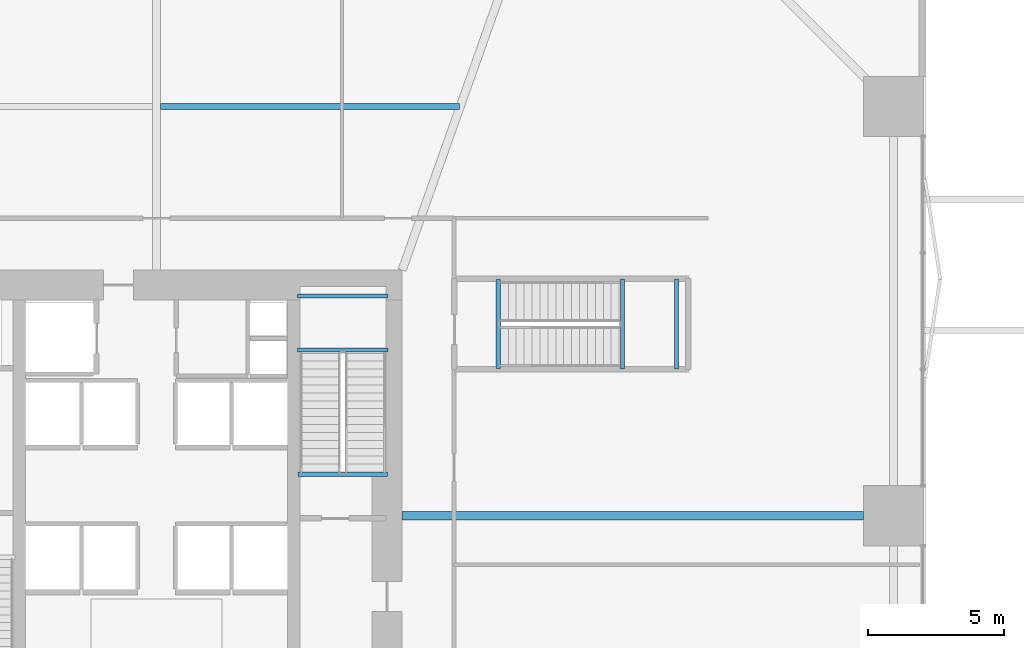
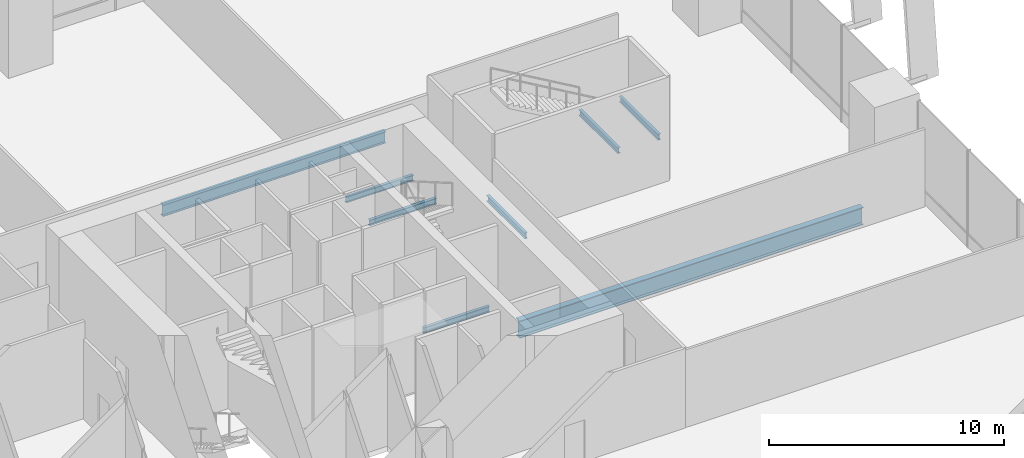
# One storey, part 14 of 24: 8 beams.
"""IFC4 building model written with IfcOpenShell, lengths in metres."""

from ifc_helpers import new_model, si_unit, direction, frame, origin, origin_2d, place, context, subcontext, project, spatial, i_section, extrude, material, material_profile, profile_set, type_object, element, save


model = new_model("IFC4")

# Units and contexts
model_context = context("Model", 3, precision=1e-05, world=origin(), true_north=direction((0.0, 1.0)))
body_context = subcontext(model_context, "Body", "Model", "MODEL_VIEW")
ifc_project = project(units=[si_unit("LENGTHUNIT", "METRE"), si_unit("AREAUNIT", "SQUARE_METRE"), si_unit("VOLUMEUNIT", "CUBIC_METRE"), si_unit("PLANEANGLEUNIT", "RADIAN"), si_unit("MASSUNIT", "GRAM", prefix="KILO")], contexts=[model_context])

# Site, building, storey
site_placement = place(None, origin())
site = spatial("IfcSite", under=ifc_project, at=site_placement, CompositionType="ELEMENT")
building_placement = place(site_placement, origin())
building = spatial("IfcBuilding", under=site, at=building_placement, Name="Belovzor Exchange Tower", CompositionType="ELEMENT")
storey_placement = place(building_placement, frame((0.0, 0.0, 8.39990234375)))
storey = spatial("IfcBuildingStorey", under=building, at=storey_placement, Name="L02", CompositionType="ELEMENT", Elevation=8.39990234375)

# Beams
ifc_material_1 = material(Name="Steel S460", Category="steel")
ifc_material_profile_1 = material_profile(ifc_material_1, i_section(OverallWidth=0.300048828125, OverallDepth=0.89990234375, WebThickness=0.0185546875, FlangeThickness=0.034912109375, at=origin_2d()))
ifc_profile_set_1 = profile_set([ifc_material_profile_1], Name="Steel S460")
beam_type_1 = type_object("IfcBeamType", Name="Podium Radial Clear-Span Girder HEB 900", PredefinedType="BEAM", material=ifc_profile_set_1)
beam_1_placement = place(storey_placement, frame((37.800048828125, 28.800048828125, -0.7998046875), z_axis=(1.0, 0.0, 0.0), x_axis=(0.0, 1.0, 0.0)))
element("IfcBeam", 1, at=beam_1_placement, inside=storey, type_object=beam_type_1, Name="PG-2 Podium Radial Clear-Span Girder HEB 900", PredefinedType="BEAM", context=body_context, shape_type="SweptSolid", body=[
    extrude(i_section(OverallWidth=0.300048828125, OverallDepth=0.89990234375, WebThickness=0.0185546875, FlangeThickness=0.034912109375, at=origin_2d()), origin(), (0.0, 0.0, 1.0), 16.89990234375),
])
ifc_material_2 = material(Name="Steel S355", Category="steel")
ifc_material_profile_2 = material_profile(ifc_material_2, i_section(OverallWidth=0.219970703125, OverallDepth=0.60009765625, WebThickness=0.011962890625, FlangeThickness=0.01904296875, at=origin_2d()))
ifc_profile_set_2 = profile_set([ifc_material_profile_2], Name="Steel S355")
beam_type_2 = type_object("IfcBeamType", Name="Podium Secondary Composite Floor Beam IPE 600", PredefinedType="BEAM", material=ifc_profile_set_2)
beam_2_placement = place(storey_placement, frame((28.949951171875, 43.800048828125, -0.64990234375), z_axis=(1.0, 0.0, 0.0), x_axis=(0.0, 1.0, 0.0)))
element("IfcBeam", 2, at=beam_2_placement, inside=storey, type_object=beam_type_2, Name="FB-600 Podium Secondary Composite Floor Beam IPE 600", PredefinedType="BEAM", context=body_context, shape_type="SweptSolid", body=[
    extrude(i_section(OverallWidth=0.219970703125, OverallDepth=0.60009765625, WebThickness=0.011962890625, FlangeThickness=0.01904296875, at=origin_2d()), origin(), (0.0, 0.0, 1.0), 10.9599609375),
])
ifc_material_3 = material(Name="Steel S355", Category="steel")
ifc_material_profile_3 = material_profile(ifc_material_3, i_section(OverallWidth=0.14990234375, OverallDepth=0.300048828125, WebThickness=0.007080078125, FlangeThickness=0.0107421875, at=origin_2d()))
ifc_profile_set_3 = profile_set([ifc_material_profile_3], Name="Steel S355")
beam_type_3 = type_object("IfcBeamType", Name="Secondary Trim Floor Joist IPE 300", PredefinedType="BEAM", material=ifc_profile_set_3)
for number, where, z_axis, x_axis, name in (
    (3, (37.280029296875, 34.8701171875, 2.35009765625), (-1.0, 0.0, 0.0), (0.0, -1.0, 0.0), "FJ-300 Secondary Trim Floor Joist IPE 300"),
    (4, (37.280029296875, 36.85009765625, 2.35009765625), (-1.0, 0.0, 0.0), (0.0, -1.0, 0.0), "FJ-300 Secondary Trim Floor Joist IPE 300"),
):
    element("IfcBeam", number, at=place(storey_placement, frame(where, z_axis=z_axis, x_axis=x_axis)), inside=storey, type_object=beam_type_3, Name=name, PredefinedType="BEAM", context=body_context, shape_type="SweptSolid", body=[
        extrude(i_section(OverallWidth=0.14990234375, OverallDepth=0.300048828125, WebThickness=0.007080078125, FlangeThickness=0.0107421875, at=origin_2d()), origin(), (0.0, 0.0, 1.0), 3.31005859375),
    ])
beam_3_placement = place(storey_placement, frame((37.260009765625, 30.320068359375, -0.5), z_axis=(-1.0, 0.0, 0.0), x_axis=(0.0, -1.0, 0.0)))
element("IfcBeam", 5, at=beam_3_placement, inside=storey, type_object=beam_type_3, Name="FJ-300 Secondary Trim Floor Joist IPE 300", PredefinedType="BEAM", context=body_context, shape_type="SweptSolid", body=[
    extrude(i_section(OverallWidth=0.14990234375, OverallDepth=0.300048828125, WebThickness=0.007080078125, FlangeThickness=0.0107421875, at=origin_2d()), origin(), (0.0, 0.0, 1.0), 3.27001953125),
])
for number, where, z_axis, x_axis, name in (
    (6, (45.8701171875, 34.169921875, 2.35009765625), (0.0, 1.0, 0.0), (-1.0, 0.0, 0.0), "FJ-300 Secondary Trim Floor Joist IPE 300"),
    (7, (47.85009765625, 34.169921875, 2.35009765625), (0.0, 1.0, 0.0), (-1.0, 0.0, 0.0), "FJ-300 Secondary Trim Floor Joist IPE 300"),
):
    element("IfcBeam", number, at=place(storey_placement, frame(where, z_axis=z_axis, x_axis=x_axis)), inside=storey, type_object=beam_type_3, Name=name, PredefinedType="BEAM", context=body_context, shape_type="SweptSolid", body=[
        extrude(i_section(OverallWidth=0.14990234375, OverallDepth=0.300048828125, WebThickness=0.007080078125, FlangeThickness=0.0107421875, at=origin_2d()), origin(), (0.0, 0.0, 1.0), 3.31005859375),
    ])
beam_4_placement = place(storey_placement, frame((41.320068359375, 34.18994140625, -0.5), z_axis=(0.0, 1.0, 0.0), x_axis=(-1.0, 0.0, 0.0)))
element("IfcBeam", 8, at=beam_4_placement, inside=storey, type_object=beam_type_3, Name="FJ-300 Secondary Trim Floor Joist IPE 300", PredefinedType="BEAM", context=body_context, shape_type="SweptSolid", body=[
    extrude(i_section(OverallWidth=0.14990234375, OverallDepth=0.300048828125, WebThickness=0.007080078125, FlangeThickness=0.0107421875, at=origin_2d()), origin(), (0.0, 0.0, 1.0), 3.27001953125),
])

save(model, "model.ifc")
